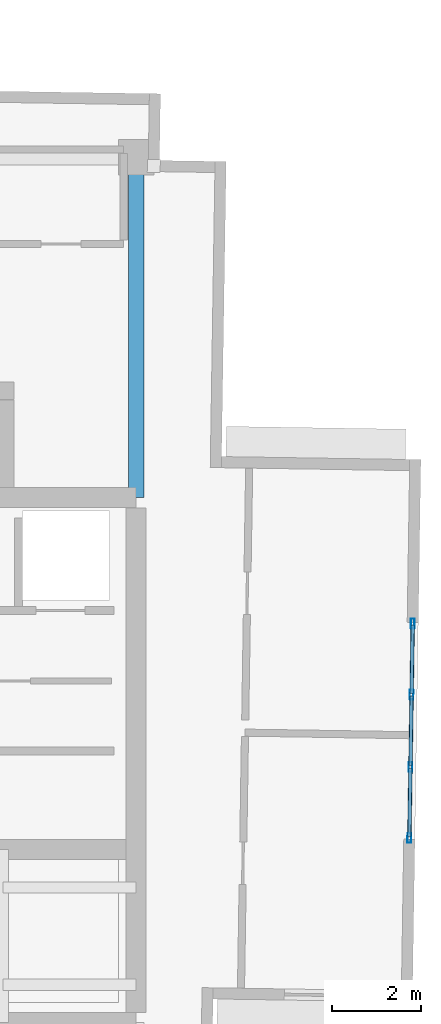
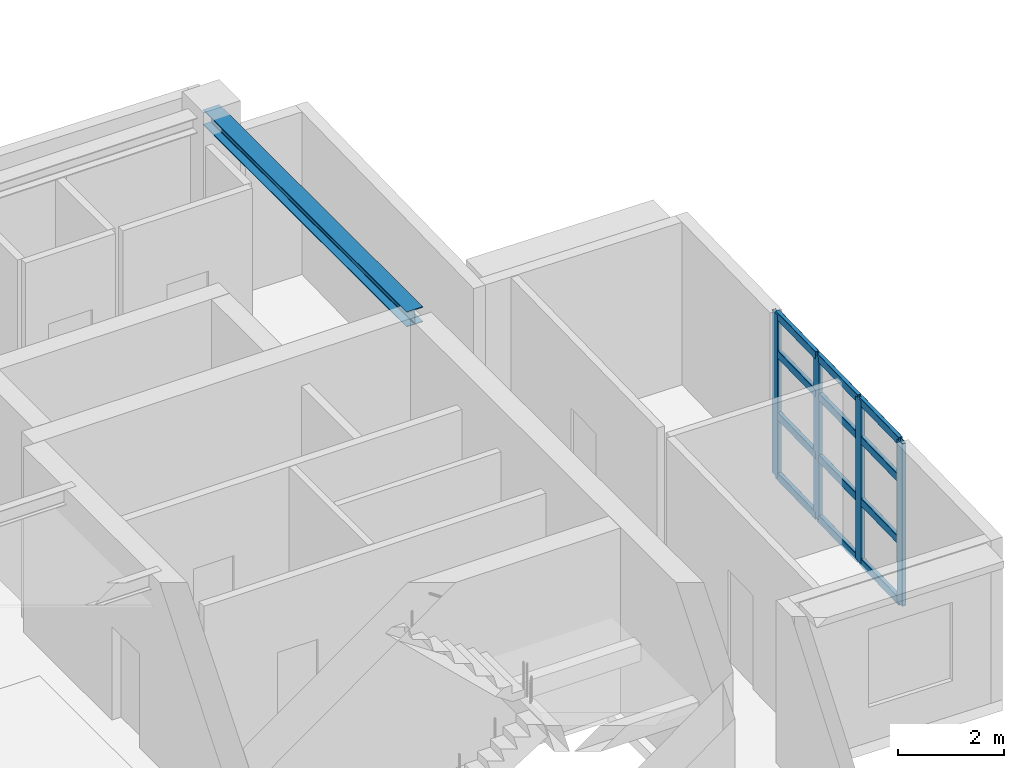
# One storey, part 6 of 15: 16 members, 1 beam, 1 element without a shape of its own.
"""IFC4 building model written with IfcOpenShell, lengths in metres."""

from ifc_helpers import new_model, si_unit, direction, frame, origin, origin_2d, place, context, subcontext, project, spatial, hollow_rectangle, i_section, extrude, material, layer, layer_set, material_profile, profile_set, type_object, element, aggregate, save


model = new_model("IFC4")

# Units and contexts
model_context = context("Model", 3, precision=1e-05, world=origin(), true_north=direction((0.0, 1.0)))
body_context = subcontext(model_context, "Body", "Model", "MODEL_VIEW")
ifc_project = project(units=[si_unit("LENGTHUNIT", "METRE"), si_unit("AREAUNIT", "SQUARE_METRE"), si_unit("VOLUMEUNIT", "CUBIC_METRE"), si_unit("PLANEANGLEUNIT", "RADIAN"), si_unit("MASSUNIT", "GRAM", prefix="KILO")], contexts=[model_context])

# Site, building, storey
site_placement = place(None, origin())
site = spatial("IfcSite", under=ifc_project, at=site_placement, CompositionType="ELEMENT")
building_placement = place(site_placement, origin())
building = spatial("IfcBuilding", under=site, at=building_placement, Name="Qingluan Cross Belvedere", CompositionType="ELEMENT")
storey_placement = place(building_placement, frame((0.0, 0.0, 312.89990234375)))
storey = spatial("IfcBuildingStorey", under=building, at=storey_placement, Name="L77", CompositionType="ELEMENT", Elevation=312.89990234375)

# Curtain wall, members
ifc_material_1 = material(Name="Thermally broken aluminium and Low-E glass", Category="aluminium")
ifc_layer = layer(ifc_material_1, 0.219970703125, Name="ObservationCW_BelvedereDeck")
ifc_layer_set = layer_set([ifc_layer], Name="Thermally broken aluminium and Low-E glass")
curtain_wall_type = type_object("IfcCurtainWallType", Name="ObservationCW_BelvedereDeck", PredefinedType="USERDEFINED", material=ifc_layer_set)
curtain_wall_placement = place(storey_placement, origin())
curtain_wall = element("IfcCurtainWall", 1, at=curtain_wall_placement, inside=storey, type_object=curtain_wall_type, Name="ObservationCW_BelvedereDeck run env:cw:L77:E", ObjectType="OBSERVATION GLAZING WALL", PredefinedType="USERDEFINED")
ifc_material_2 = material(Name="Aluminium alloy 6063-T6", Category="aluminium")
ifc_material_profile_1 = material_profile(ifc_material_2, hollow_rectangle(XDim=0.0849609375, YDim=0.219970703125, WallThickness=0.0048828125, InnerFilletRadius=0.0048828125, OuterFilletRadius=0.010009765625, at=origin_2d()), Name="CWM220x85x5")
ifc_profile_set_1 = profile_set([ifc_material_profile_1], Name="Aluminium alloy 6063-T6")
member_type_1 = type_object("IfcMemberType", Name="CWMullion_220", PredefinedType="MULLION", material=ifc_profile_set_1)
member_1_placement = place(storey_placement, frame((18.539794921875, -2.69970703125, 0.0), z_axis=(0.0, 0.0, 1.0), x_axis=(-0.999876596737, 0.015709592504, 0.0)))
member_1 = element("IfcMember", 2, at=member_1_placement, type_object=member_type_1, Name="CW-C3 mullion 1", PredefinedType="MULLION", context=body_context, shape_type="SweptSolid", body=[
    extrude(hollow_rectangle(XDim=0.0849609375, YDim=0.219970703125, WallThickness=0.0048828125, InnerFilletRadius=0.0048828125, OuterFilletRadius=0.010009765625, at=origin_2d()), origin(), (0.0, 0.0, 1.0), 3.72998046875),
])
member_2_placement = place(storey_placement, frame((18.56494140625, -1.1044921875, 0.0), z_axis=(0.0, 0.0, 1.0), x_axis=(-0.999876596737, 0.015709592504, 0.0)))
member_2 = element("IfcMember", 3, at=member_2_placement, type_object=member_type_1, Name="CW-C3 mullion 2", PredefinedType="MULLION", context=body_context, shape_type="SweptSolid", body=[
    extrude(hollow_rectangle(XDim=0.0849609375, YDim=0.219970703125, WallThickness=0.0048828125, InnerFilletRadius=0.0048828125, OuterFilletRadius=0.010009765625, at=origin_2d()), origin(), (0.0, 0.0, 1.0), 3.72998046875),
])
member_3_placement = place(storey_placement, frame((18.590576171875, 0.520751953125, 0.0), z_axis=(0.0, 0.0, 1.0), x_axis=(-0.999876596737, 0.015709592504, 0.0)))
member_3 = element("IfcMember", 4, at=member_3_placement, type_object=member_type_1, Name="CW-C3 mullion 3", PredefinedType="MULLION", context=body_context, shape_type="SweptSolid", body=[
    extrude(hollow_rectangle(XDim=0.0849609375, YDim=0.219970703125, WallThickness=0.0048828125, InnerFilletRadius=0.0048828125, OuterFilletRadius=0.010009765625, at=origin_2d()), origin(), (0.0, 0.0, 1.0), 3.72998046875),
])
member_4_placement = place(storey_placement, frame((18.615478515625, 2.11572265625, 0.0), z_axis=(0.0, 0.0, 1.0), x_axis=(-0.999876596737, 0.015709592504, 0.0)))
member_4 = element("IfcMember", 5, at=member_4_placement, type_object=member_type_1, Name="CW-C3 mullion 4", PredefinedType="MULLION", context=body_context, shape_type="SweptSolid", body=[
    extrude(hollow_rectangle(XDim=0.0849609375, YDim=0.219970703125, WallThickness=0.0048828125, InnerFilletRadius=0.0048828125, OuterFilletRadius=0.010009765625, at=origin_2d()), origin(), (0.0, 0.0, 1.0), 3.72998046875),
])
ifc_material_3 = material(Name="Aluminium alloy 6063-T6", Category="aluminium")
ifc_material_profile_2 = material_profile(ifc_material_3, hollow_rectangle(XDim=0.0849609375, YDim=0.179931640625, WallThickness=0.00390625, InnerFilletRadius=0.00390625, OuterFilletRadius=0.008056640625, at=origin_2d()), Name="CWT180x85x4")
ifc_profile_set_2 = profile_set([ifc_material_profile_2], Name="Aluminium alloy 6063-T6")
member_type_2 = type_object("IfcMemberType", Name="CWTransom_180", PredefinedType="USERDEFINED", material=ifc_profile_set_2)
member_5_placement = place(storey_placement, frame((18.540283203125, -2.669677734375, 0.030029296875), z_axis=(0.015742323809, 0.999876081943, 0.0), x_axis=(-0.999876081943, 0.015742323809, 0.0)))
member_5 = element("IfcMember", 6, at=member_5_placement, type_object=member_type_2, Name="CW-C3 transom 1.1", ObjectType="TRANSOM", PredefinedType="USERDEFINED", context=body_context, shape_type="SweptSolid", body=[
    extrude(hollow_rectangle(XDim=0.0849609375, YDim=0.179931640625, WallThickness=0.00390625, InnerFilletRadius=0.00390625, OuterFilletRadius=0.008056640625, at=origin_2d()), origin(), (0.0, 0.0, 1.0), 1.535400390625),
])
member_6_placement = place(storey_placement, frame((18.540283203125, -2.669677734375, 1.4169921875), z_axis=(0.015742323809, 0.999876081943, 0.0), x_axis=(-0.999876081943, 0.015742323809, 0.0)))
member_6 = element("IfcMember", 7, at=member_6_placement, type_object=member_type_2, Name="CW-C3 transom 1.2", ObjectType="TRANSOM", PredefinedType="USERDEFINED", context=body_context, shape_type="SweptSolid", body=[
    extrude(hollow_rectangle(XDim=0.0849609375, YDim=0.179931640625, WallThickness=0.00390625, InnerFilletRadius=0.00390625, OuterFilletRadius=0.008056640625, at=origin_2d()), origin(), (0.0, 0.0, 1.0), 1.535400390625),
])
member_7_placement = place(storey_placement, frame((18.540283203125, -2.669677734375, 2.835205078125), z_axis=(0.015742323809, 0.999876081943, 0.0), x_axis=(-0.999876081943, 0.015742323809, 0.0)))
member_7 = element("IfcMember", 8, at=member_7_placement, type_object=member_type_2, Name="CW-C3 transom 1.3", ObjectType="TRANSOM", PredefinedType="USERDEFINED", context=body_context, shape_type="SweptSolid", body=[
    extrude(hollow_rectangle(XDim=0.0849609375, YDim=0.179931640625, WallThickness=0.00390625, InnerFilletRadius=0.00390625, OuterFilletRadius=0.008056640625, at=origin_2d()), origin(), (0.0, 0.0, 1.0), 1.535400390625),
])
member_8_placement = place(storey_placement, frame((18.540283203125, -2.669677734375, 3.7001953125), z_axis=(0.015742323809, 0.999876081943, 0.0), x_axis=(-0.999876081943, 0.015742323809, 0.0)))
member_8 = element("IfcMember", 9, at=member_8_placement, type_object=member_type_2, Name="CW-C3 transom 1.4", ObjectType="TRANSOM", PredefinedType="USERDEFINED", context=body_context, shape_type="SweptSolid", body=[
    extrude(hollow_rectangle(XDim=0.0849609375, YDim=0.179931640625, WallThickness=0.00390625, InnerFilletRadius=0.00390625, OuterFilletRadius=0.008056640625, at=origin_2d()), origin(), (0.0, 0.0, 1.0), 1.535400390625),
])
member_9_placement = place(storey_placement, frame((18.5654296875, -1.074462890625, 0.030029296875), z_axis=(0.015752217835, 0.999875926119, 0.0), x_axis=(-0.999875926119, 0.015752217835, 0.0)))
member_9 = element("IfcMember", 10, at=member_9_placement, type_object=member_type_2, Name="CW-C3 transom 2.1", ObjectType="TRANSOM", PredefinedType="USERDEFINED", context=body_context, shape_type="SweptSolid", body=[
    extrude(hollow_rectangle(XDim=0.0849609375, YDim=0.179931640625, WallThickness=0.00390625, InnerFilletRadius=0.00390625, OuterFilletRadius=0.008056640625, at=origin_2d()), origin(), (0.0, 0.0, 1.0), 1.5654296875),
])
member_10_placement = place(storey_placement, frame((18.5654296875, -1.074462890625, 1.4169921875), z_axis=(0.015752217835, 0.999875926119, 0.0), x_axis=(-0.999875926119, 0.015752217835, 0.0)))
member_10 = element("IfcMember", 11, at=member_10_placement, type_object=member_type_2, Name="CW-C3 transom 2.2", ObjectType="TRANSOM", PredefinedType="USERDEFINED", context=body_context, shape_type="SweptSolid", body=[
    extrude(hollow_rectangle(XDim=0.0849609375, YDim=0.179931640625, WallThickness=0.00390625, InnerFilletRadius=0.00390625, OuterFilletRadius=0.008056640625, at=origin_2d()), origin(), (0.0, 0.0, 1.0), 1.5654296875),
])
member_11_placement = place(storey_placement, frame((18.5654296875, -1.074462890625, 2.835205078125), z_axis=(0.015752217835, 0.999875926119, 0.0), x_axis=(-0.999875926119, 0.015752217835, 0.0)))
member_11 = element("IfcMember", 12, at=member_11_placement, type_object=member_type_2, Name="CW-C3 transom 2.3", ObjectType="TRANSOM", PredefinedType="USERDEFINED", context=body_context, shape_type="SweptSolid", body=[
    extrude(hollow_rectangle(XDim=0.0849609375, YDim=0.179931640625, WallThickness=0.00390625, InnerFilletRadius=0.00390625, OuterFilletRadius=0.008056640625, at=origin_2d()), origin(), (0.0, 0.0, 1.0), 1.5654296875),
])
member_12_placement = place(storey_placement, frame((18.5654296875, -1.074462890625, 3.7001953125), z_axis=(0.015752217835, 0.999875926119, 0.0), x_axis=(-0.999875926119, 0.015752217835, 0.0)))
member_12 = element("IfcMember", 13, at=member_12_placement, type_object=member_type_2, Name="CW-C3 transom 2.4", ObjectType="TRANSOM", PredefinedType="USERDEFINED", context=body_context, shape_type="SweptSolid", body=[
    extrude(hollow_rectangle(XDim=0.0849609375, YDim=0.179931640625, WallThickness=0.00390625, InnerFilletRadius=0.00390625, OuterFilletRadius=0.008056640625, at=origin_2d()), origin(), (0.0, 0.0, 1.0), 1.5654296875),
])
member_13_placement = place(storey_placement, frame((18.5908203125, 0.55078125, 0.030029296875), z_axis=(0.015744827137, 0.999876042526, 0.0), x_axis=(-0.999876042526, 0.015744827137, 0.0)))
member_13 = element("IfcMember", 14, at=member_13_placement, type_object=member_type_2, Name="CW-C3 transom 3.1", ObjectType="TRANSOM", PredefinedType="USERDEFINED", context=body_context, shape_type="SweptSolid", body=[
    extrude(hollow_rectangle(XDim=0.0849609375, YDim=0.179931640625, WallThickness=0.00390625, InnerFilletRadius=0.00390625, OuterFilletRadius=0.008056640625, at=origin_2d()), origin(), (0.0, 0.0, 1.0), 1.53515625),
])
member_14_placement = place(storey_placement, frame((18.5908203125, 0.55078125, 1.4169921875), z_axis=(0.015744827137, 0.999876042526, 0.0), x_axis=(-0.999876042526, 0.015744827137, 0.0)))
member_14 = element("IfcMember", 15, at=member_14_placement, type_object=member_type_2, Name="CW-C3 transom 3.2", ObjectType="TRANSOM", PredefinedType="USERDEFINED", context=body_context, shape_type="SweptSolid", body=[
    extrude(hollow_rectangle(XDim=0.0849609375, YDim=0.179931640625, WallThickness=0.00390625, InnerFilletRadius=0.00390625, OuterFilletRadius=0.008056640625, at=origin_2d()), origin(), (0.0, 0.0, 1.0), 1.53515625),
])
member_15_placement = place(storey_placement, frame((18.5908203125, 0.55078125, 2.835205078125), z_axis=(0.015744827137, 0.999876042526, 0.0), x_axis=(-0.999876042526, 0.015744827137, 0.0)))
member_15 = element("IfcMember", 16, at=member_15_placement, type_object=member_type_2, Name="CW-C3 transom 3.3", ObjectType="TRANSOM", PredefinedType="USERDEFINED", context=body_context, shape_type="SweptSolid", body=[
    extrude(hollow_rectangle(XDim=0.0849609375, YDim=0.179931640625, WallThickness=0.00390625, InnerFilletRadius=0.00390625, OuterFilletRadius=0.008056640625, at=origin_2d()), origin(), (0.0, 0.0, 1.0), 1.53515625),
])
member_16_placement = place(storey_placement, frame((18.5908203125, 0.55078125, 3.7001953125), z_axis=(0.015744827137, 0.999876042526, 0.0), x_axis=(-0.999876042526, 0.015744827137, 0.0)))
member_16 = element("IfcMember", 17, at=member_16_placement, type_object=member_type_2, Name="CW-C3 transom 3.4", ObjectType="TRANSOM", PredefinedType="USERDEFINED", context=body_context, shape_type="SweptSolid", body=[
    extrude(hollow_rectangle(XDim=0.0849609375, YDim=0.179931640625, WallThickness=0.00390625, InnerFilletRadius=0.00390625, OuterFilletRadius=0.008056640625, at=origin_2d()), origin(), (0.0, 0.0, 1.0), 1.53515625),
])
aggregate(curtain_wall, [member_1, member_2, member_3, member_4, member_5, member_6, member_7, member_8, member_9, member_10, member_11, member_12, member_13, member_14, member_15, member_16])

# Beam
ifc_material_4 = material(Name="Steel Q420GJB", Category="steel")
ifc_material_profile_3 = material_profile(ifc_material_4, i_section(OverallWidth=0.35009765625, OverallDepth=0.35009765625, WebThickness=0.011962890625, FlangeThickness=0.01904296875, FilletRadius=0.02001953125, at=origin_2d()), Name="HW350x350x12x19")
ifc_profile_set_3 = profile_set([ifc_material_profile_3], Name="Steel Q420GJB")
beam_type = type_object("IfcBeamType", Name="Steel_Girder_HW350x350x12x19", PredefinedType="USERDEFINED", material=ifc_profile_set_3)
beam_placement = place(storey_placement, frame((12.39990234375, 4.949951171875, 4.0751953125), z_axis=(0.0, 1.0, 0.0), x_axis=(-1.0, 0.0, 0.0)))
element("IfcBeam", 18, at=beam_placement, inside=storey, type_object=beam_type, Name="Hub girder L77-HG-E2", ObjectType="GIRDER", PredefinedType="USERDEFINED", context=body_context, shape_type="SweptSolid", body=[
    extrude(i_section(OverallWidth=0.35009765625, OverallDepth=0.35009765625, WebThickness=0.011962890625, FlangeThickness=0.01904296875, FilletRadius=0.02001953125, at=origin_2d()), origin(), (0.0, 0.0, 1.0), 7.650146484375),
])

save(model, "model.ifc")
